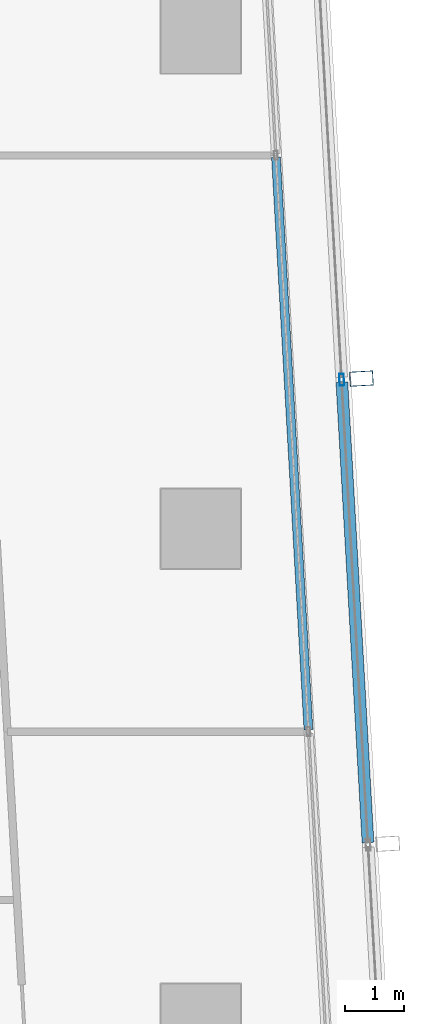
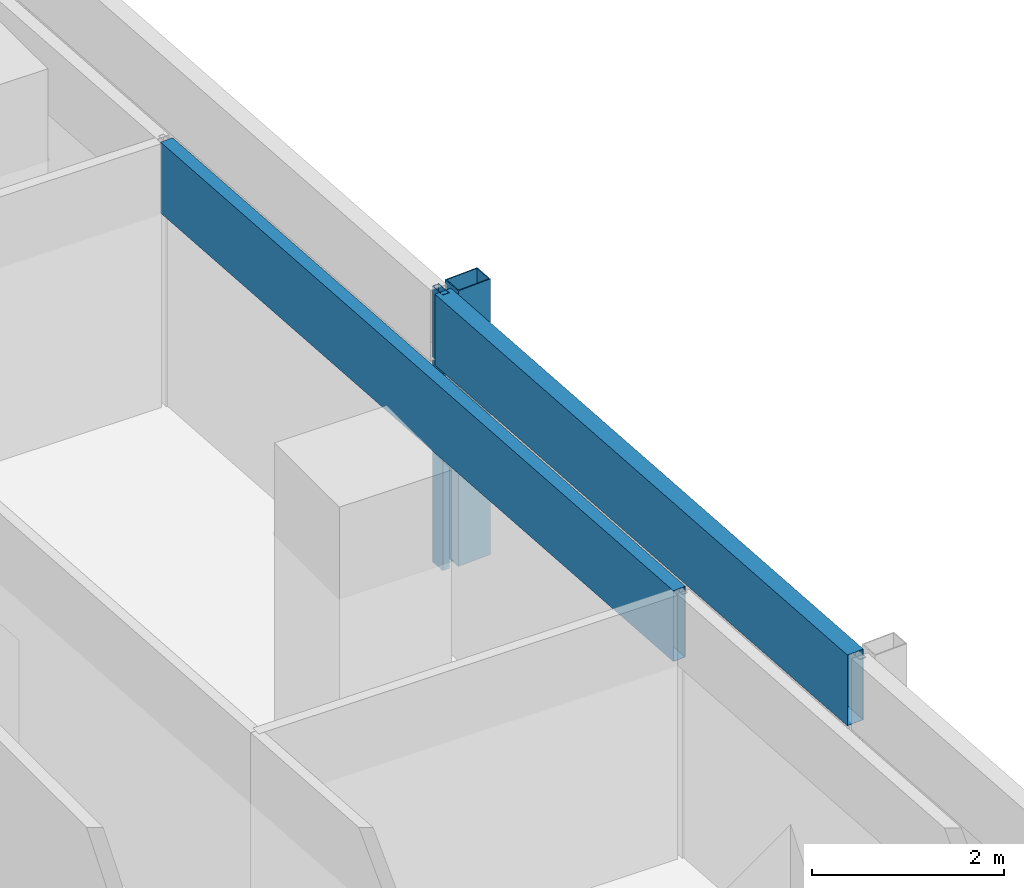
# One storey, part 13 of 35: 4 members, 2 elements without a shape of their own.
"""IFC4 building model written with IfcOpenShell, lengths in metres."""

from ifc_helpers import new_model, si_unit, direction, frame, origin, origin_2d, place, context, subcontext, project, spatial, hollow_rectangle, extrude, material, material_profile, profile_set, type_object, element, aggregate, save


model = new_model("IFC4")

# Units and contexts
model_context = context("Model", 3, precision=1e-05, world=origin(), true_north=direction((0.0, 1.0)))
body_context = subcontext(model_context, "Body", "Model", "MODEL_VIEW")
ifc_project = project(units=[si_unit("LENGTHUNIT", "METRE"), si_unit("AREAUNIT", "SQUARE_METRE"), si_unit("VOLUMEUNIT", "CUBIC_METRE"), si_unit("PLANEANGLEUNIT", "RADIAN"), si_unit("MASSUNIT", "GRAM", prefix="KILO")], contexts=[model_context])

# Site, building, storey
site_placement = place(None, origin())
site = spatial("IfcSite", under=ifc_project, at=site_placement, CompositionType="ELEMENT")
building_placement = place(site_placement, origin())
building = spatial("IfcBuilding", under=site, at=building_placement, Name="Rekha Terrace Tower", CompositionType="ELEMENT")
storey_placement = place(building_placement, frame((0.0, 0.0, 191.449951171875)))
storey = spatial("IfcBuildingStorey", under=building, at=storey_placement, Name="L48", CompositionType="ELEMENT", Elevation=191.449951171875)

# Curtain wall, member
ifc_material_1 = material(Name="Aluminium framing", Category="aluminium")
curtain_wall_type_1 = type_object("IfcCurtainWallType", Name="CW2 double skin outer glazing", PredefinedType="USERDEFINED", material=ifc_material_1)
curtain_wall_1_placement = place(storey_placement, origin())
curtain_wall_1 = element("IfcCurtainWall", 1, at=curtain_wall_1_placement, inside=storey, type_object=curtain_wall_type_1, Name="CW2 double skin outer glazing", ObjectType="DOUBLE SKIN OUTER GLAZING", PredefinedType="USERDEFINED")
ifc_material_2 = material(Name="Steel S355 with fluorocarbon finish", Category="steel")
ifc_material_profile_1 = material_profile(ifc_material_2, hollow_rectangle(XDim=0.25, YDim=0.39990234375, WallThickness=0.012451171875, at=origin_2d()), Name="RHS400x250x12.5")
ifc_profile_set_1 = profile_set([ifc_material_profile_1], Name="Steel S355 with fluorocarbon finish")
member_type_1 = type_object("IfcMemberType", Name="BL1 facade blade RHS 400 x 250", PredefinedType="USERDEFINED", material=ifc_profile_set_1)
member_1_placement = place(storey_placement, frame((61.528076171875, 44.546630859375, 0.0), z_axis=(0.0, 0.0, 1.0), x_axis=(-0.056673619809, 0.998392758797, 0.0)))
member_1 = element("IfcMember", 2, at=member_1_placement, type_object=member_type_1, Name="Facade blade", ObjectType="FACADE BLADE", PredefinedType="USERDEFINED", context=body_context, shape_type="SweptSolid", body=[
    extrude(hollow_rectangle(XDim=0.25, YDim=0.39990234375, WallThickness=0.012451171875, at=origin_2d()), origin(), (0.0, 0.0, 1.0), 3.5),
])

curtain_wall_type_2 = type_object("IfcCurtainWallType", Name="CW1 double skin inner glazing", PredefinedType="USERDEFINED", material=ifc_material_1)
curtain_wall_2_placement = place(storey_placement, origin())
curtain_wall_2 = element("IfcCurtainWall", 3, at=curtain_wall_2_placement, inside=storey, type_object=curtain_wall_type_2, Name="CW1 double skin inner glazing", ObjectType="DOUBLE SKIN INNER GLAZING", PredefinedType="USERDEFINED")
ifc_material_3 = material(Name="Insulated aluminium spandrel box", Category="aluminium")
ifc_material_profile_2 = material_profile(ifc_material_3, hollow_rectangle(XDim=0.14990234375, YDim=0.89990234375, WallThickness=0.0029296875, at=origin_2d()), Name="AL SPANDREL BOX 150x900")
ifc_profile_set_2 = profile_set([ifc_material_profile_2], Name="Insulated aluminium spandrel box")
member_type_2 = type_object("IfcMemberType", Name="CW1 spandrel transom 150 x 900", PredefinedType="USERDEFINED", material=ifc_profile_set_2)
member_2_placement = place(storey_placement, frame((60.629150390625, 38.588134765625, 3.050048828125), z_axis=(-0.056650211304, 0.998394087302, 0.0), x_axis=(-0.998394087302, -0.056650211304, 0.0)))
member_2 = element("IfcMember", 4, at=member_2_placement, type_object=member_type_2, Name="CW1 spandrel transom 2", ObjectType="TRANSOM", PredefinedType="USERDEFINED", context=body_context, shape_type="SweptSolid", body=[
    extrude(hollow_rectangle(XDim=0.14990234375, YDim=0.89990234375, WallThickness=0.0029296875, at=origin_2d()), origin(), (0.0, 0.0, 1.0), 9.726806640625),
])
aggregate(curtain_wall_2, [member_2])

# Member
ifc_material_4 = material(Name="Aluminium mullion section", Category="aluminium")
ifc_material_profile_3 = material_profile(ifc_material_4, hollow_rectangle(XDim=0.080078125, YDim=0.199951171875, WallThickness=0.00390625, at=origin_2d()), Name="AL RHS 80x200")
ifc_profile_set_3 = profile_set([ifc_material_profile_3], Name="Aluminium mullion section")
member_type_3 = type_object("IfcMemberType", Name="CW2 mullion RHS 80 x 200", PredefinedType="MULLION", material=ifc_profile_set_3)
member_3_placement = place(storey_placement, frame((61.193603515625, 44.527587890625, 0.0), z_axis=(0.0, 0.0, 1.0), x_axis=(-0.998392782919, -0.05667319486, 0.0)))
member_3 = element("IfcMember", 5, at=member_3_placement, type_object=member_type_3, Name="CW2 mullion 3", PredefinedType="MULLION", context=body_context, shape_type="SweptSolid", body=[
    extrude(hollow_rectangle(XDim=0.080078125, YDim=0.199951171875, WallThickness=0.00390625, at=origin_2d()), origin(), (0.0, 0.0, 1.0), 3.5),
])

ifc_material_profile_4 = material_profile(ifc_material_3, hollow_rectangle(XDim=0.199951171875, YDim=0.89990234375, WallThickness=0.0029296875, at=origin_2d()), Name="AL SPANDREL BOX 200x900")
ifc_profile_set_4 = profile_set([ifc_material_profile_4], Name="Insulated aluminium spandrel box")
member_type_4 = type_object("IfcMemberType", Name="CW2 spandrel transom 200 x 900", PredefinedType="USERDEFINED", material=ifc_profile_set_4)
member_4_placement = place(storey_placement, frame((61.63916015625, 36.6767578125, 3.050048828125), z_axis=(-0.056669428082, 0.998392996731, 0.0), x_axis=(-0.998392996731, -0.056669428082, 0.0)))
member_4 = element("IfcMember", 6, at=member_4_placement, type_object=member_type_4, Name="CW2 spandrel transom 2", ObjectType="TRANSOM", PredefinedType="USERDEFINED", context=body_context, shape_type="SweptSolid", body=[
    extrude(hollow_rectangle(XDim=0.199951171875, YDim=0.89990234375, WallThickness=0.0029296875, at=origin_2d()), origin(), (0.0, 0.0, 1.0), 7.823486328125),
])

aggregate(curtain_wall_1, [member_3, member_4, member_1])

save(model, "model.ifc")
